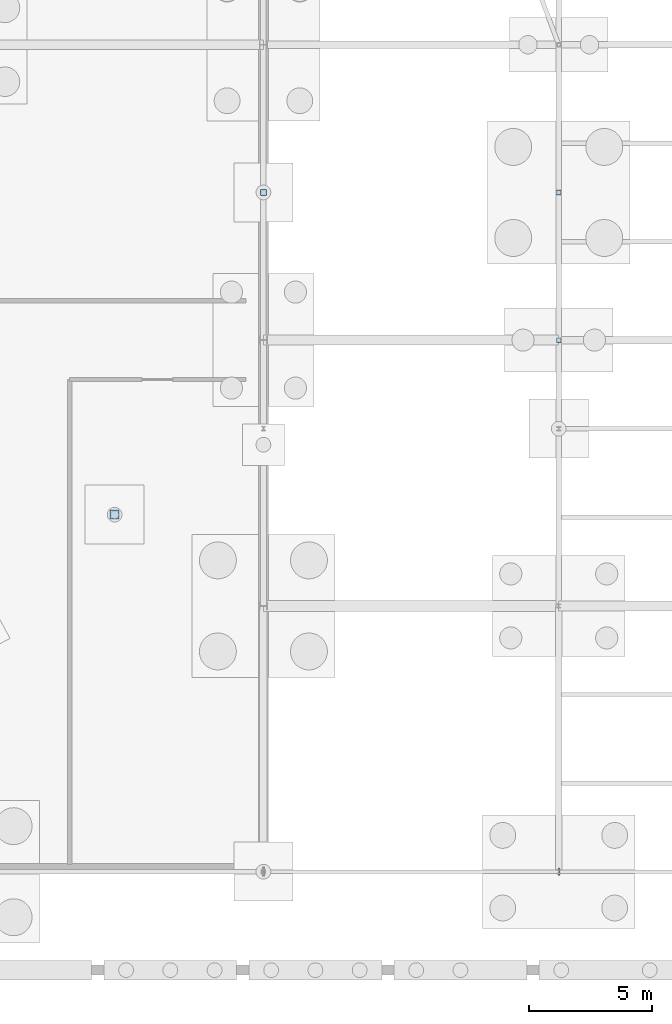
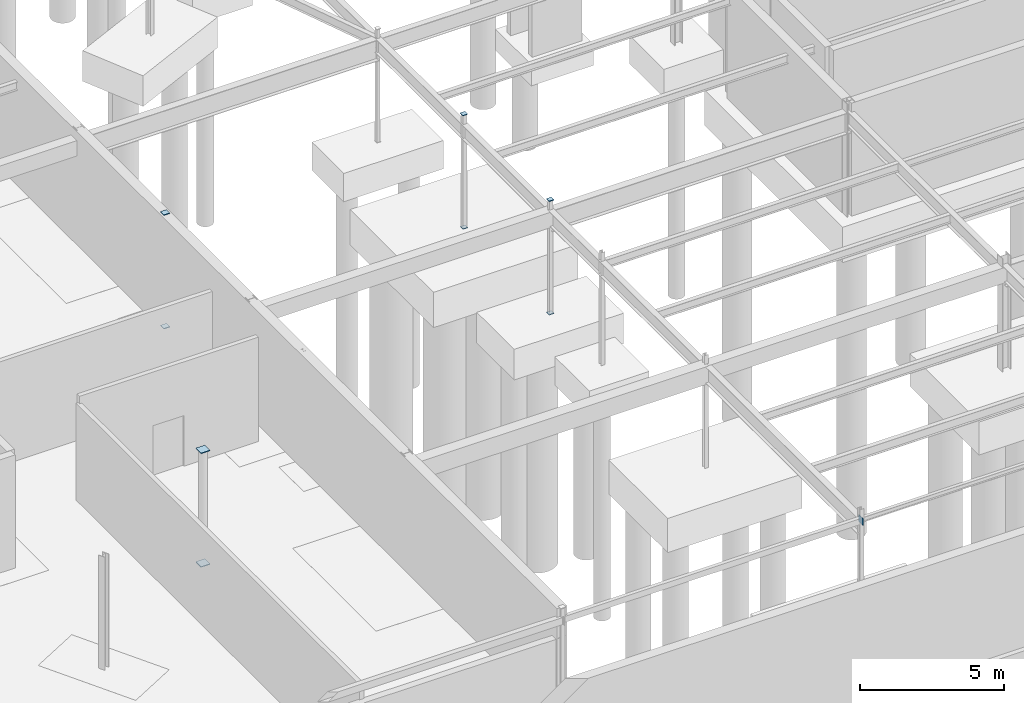
# One storey, part 103 of 136: 9 plates.
"""IFC4 building model written with IfcOpenShell, lengths in metres."""

import ifcopenshell
import ifcopenshell.guid

model = None  # the IFC model being written
_history = None  # IfcOwnerHistory: only IFC2X3 demands one
_inside = {}  # id of a spatial element -> (the spatial element, [elements in it])
_under = {}  # id of a project, library or spatial element -> (it, [spatial elements below it])
_declared = {}  # id of a project -> (the project, [libraries it declares])
_typed = {}  # id of a type object -> (the type object, [elements of that type])
_made_of = {}  # id of a material, layer set ... -> (it, [elements and type objects made of it])


def new_model(schema):
    """Start an empty IFC model of exactly this schema.

    Asked for "IFC4X3", IfcOpenShell would pick the latest addendum, in which some entities
    have other attributes; the version numbers below select the first issue.
    IFC2X3 requires an IfcOwnerHistory on every rooted entity: one is made here for all.
    """
    global model, _history
    if schema == "IFC4X3":
        model = ifcopenshell.file(schema_version=(4, 3, 0, 0))
    else:
        model = ifcopenshell.file(schema=schema)
    _inside.clear()
    _under.clear()
    _declared.clear()
    _typed.clear()
    _made_of.clear()
    _history = None
    if model.schema == "IFC2X3":
        org = make("IfcOrganization", Name="unknown")
        user = make(
            "IfcPersonAndOrganization",
            ThePerson=make("IfcPerson", FamilyName="unknown"),
            TheOrganization=org,
        )
        app = make(
            "IfcApplication",
            ApplicationDeveloper=org,
            Version="unknown",
            ApplicationFullName="unknown",
            ApplicationIdentifier="unknown",
        )
        _history = make(
            "IfcOwnerHistory",
            OwningUser=user,
            OwningApplication=app,
            ChangeAction="ADDED",
            CreationDate=0,
        )
    return model


def make(cls, **values):
    """One entity of the class cls with the attributes given. An attribute that is None is left unset."""
    return model.create_entity(
        cls, **{name: value for name, value in values.items() if value is not None}
    )


def rooted(cls, **values):
    """An entity with a GlobalId (a new one), such as an element, a storey or a relation."""
    return make(cls, GlobalId=ifcopenshell.guid.new(), OwnerHistory=_history, **values)


def si_unit(unit_type, name, prefix=None):
    """IfcSIUnit, for example si_unit("LENGTHUNIT", "METRE", prefix="MILLI")."""
    return make("IfcSIUnit", UnitType=unit_type, Prefix=prefix, Name=name)


def assignment(units):
    """IfcUnitAssignment: the units of a project."""
    return None if units is None else make("IfcUnitAssignment", Units=units)


def point(xyz):
    """IfcCartesianPoint."""
    return None if xyz is None else make("IfcCartesianPoint", Coordinates=xyz)


def direction(xyz):
    """IfcDirection."""
    return None if xyz is None else make("IfcDirection", DirectionRatios=xyz)


def frame(location, z_axis=None, x_axis=None):
    """IfcAxis2Placement3D, a coordinate frame: its origin and axes. An axis left out is left unset."""
    return make(
        "IfcAxis2Placement3D",
        Location=point(location),
        Axis=direction(z_axis),
        RefDirection=direction(x_axis),
    )


def frame_2d(location, x_axis=None):
    """IfcAxis2Placement2D, a coordinate frame in the plane: its origin and x axis."""
    return make(
        "IfcAxis2Placement2D", Location=point(location), RefDirection=direction(x_axis)
    )


def origin():
    """The frame at (0, 0, 0) with its axes left unset."""
    return frame((0.0, 0.0, 0.0))


def origin_2d():
    """The frame at (0, 0) in the plane with its x axis left unset."""
    return frame_2d((0.0, 0.0))


def place(relative_to, where):
    """IfcLocalPlacement: puts the frame where relative to a parent placement (None: the world)."""
    return make(
        "IfcLocalPlacement", PlacementRelTo=relative_to, RelativePlacement=where
    )


def context(
    kind, dimensions, precision=None, world=None, true_north=None, identifier=None
):
    """IfcGeometricRepresentationContext, for example the 3D "Model" context."""
    return make(
        "IfcGeometricRepresentationContext",
        ContextIdentifier=identifier,
        ContextType=kind,
        CoordinateSpaceDimension=dimensions,
        Precision=precision,
        WorldCoordinateSystem=world,
        TrueNorth=true_north,
    )


def subcontext(parent, identifier, kind, view, scale=None):
    """IfcGeometricRepresentationSubContext, for example "Body" below "Model"."""
    return make(
        "IfcGeometricRepresentationSubContext",
        ContextIdentifier=identifier,
        ContextType=kind,
        ParentContext=parent,
        TargetScale=scale,
        TargetView=view,
    )


def project(units=None, contexts=None):
    """IfcProject with its units and contexts."""
    return rooted(
        "IfcProject",
        Name="project",
        RepresentationContexts=contexts,
        UnitsInContext=assignment(units),
    )


def spatial(cls, under=None, at=None, **own):
    """A site, building, storey or space (cls), placed at a placement, below another one or the project."""
    s = rooted(cls, ObjectPlacement=at, **own)
    if under is not None:
        _under.setdefault(under.id(), (under, []))[1].append(s)
    return s


def profile(cls, at=None, kind="AREA", **sizes):
    """A parametric profile (cls). Its sizes go by their IFC names, for example OverallWidth=200.0."""
    return make(cls, ProfileType=kind, Position=at, **sizes)


def rectangle(**sizes):
    """IfcRectangleProfileDef."""
    return profile("IfcRectangleProfileDef", **sizes)


def extrude(swept, where, along, depth):
    """IfcExtrudedAreaSolid: the profile swept, set in the frame where, extruded along a direction by depth."""
    return make(
        "IfcExtrudedAreaSolid",
        SweptArea=swept,
        Position=where,
        ExtrudedDirection=direction(along),
        Depth=depth,
    )


def shape(context_of_items, identifier, shape_type, items):
    """IfcShapeRepresentation: the items that make up one representation, for example the "Body"."""
    return make(
        "IfcShapeRepresentation",
        ContextOfItems=context_of_items,
        RepresentationIdentifier=identifier,
        RepresentationType=shape_type,
        Items=items,
    )


def material(Name=None, Category=None):
    """IfcMaterial."""
    return make("IfcMaterial", Name=Name, Category=Category)


def layer(
    of_material, thickness, ventilated=None, Name=None, Category=None, Priority=None
):
    """IfcMaterialLayer: one layer of a wall or slab, of a material (None: an air gap)."""
    return make(
        "IfcMaterialLayer",
        Material=of_material,
        LayerThickness=thickness,
        IsVentilated=ventilated,
        Name=Name,
        Category=Category,
        Priority=Priority,
    )


def layer_set(layers, Name=None):
    """IfcMaterialLayerSet."""
    return make("IfcMaterialLayerSet", MaterialLayers=layers, LayerSetName=Name)


def made_of(thing, what):
    """Note that an element or type object is made of a material, layer set ...; save() writes the relation."""
    if what is not None:
        _made_of.setdefault(what.id(), (what, []))[1].append(thing)
    return thing


def type_object(cls, material=None, **own):
    """A type object (cls), such as IfcWallType, which elements share."""
    return made_of(rooted(cls, **own), material)


def element(
    cls,
    number,
    at=None,
    inside=None,
    cuts=None,
    type_object=None,
    material=None,
    context=None,
    identifier="Body",
    shape_type=None,
    held_by="IfcProductDefinitionShape",
    body=None,
    shapes=None,
    **own,
):
    """One element of the class cls, such as IfcWall. Its Tag is "e" and its number.

    at: its placement. inside: the storey or other place that contains it. cuts: it is an
    opening in that element (IfcRelVoidsElement). A single representation is given by context,
    identifier, shape_type and body (its items); several are given by shapes. held_by: the class
    of the entity that holds the representations. save() writes the other relations.
    """
    e = rooted(cls, Tag="e%d" % number, ObjectPlacement=at, **own)
    if body is not None:
        shapes = [shape(context, identifier, shape_type, body)]
    if shapes is not None:
        e.Representation = make(held_by, Representations=shapes)
    if inside is not None:
        _inside.setdefault(inside.id(), (inside, []))[1].append(e)
    if cuts is not None:
        rooted(
            "IfcRelVoidsElement", RelatingBuildingElement=cuts, RelatedOpeningElement=e
        )
    if type_object is not None:
        _typed.setdefault(type_object.id(), (type_object, []))[1].append(e)
    return made_of(e, material)


def aggregate(whole, parts):
    """IfcRelAggregates: a whole, such as a stair, and the parts it consists of."""
    return rooted("IfcRelAggregates", RelatingObject=whole, RelatedObjects=parts)


def save(model, path):
    """Write the relations noted so far, then the file.

    IfcRelAggregates (storeys below a building ...), IfcRelContainedInSpatialStructure (elements
    in a storey), IfcRelDefinesByType, IfcRelAssociatesMaterial and IfcRelDeclares: one each for
    every whole, place, type object, material and project.
    """
    for whole, parts in _under.values():
        aggregate(whole, parts)
    for where, things in _inside.values():
        rooted(
            "IfcRelContainedInSpatialStructure",
            RelatedElements=things,
            RelatingStructure=where,
        )
    for kind, things in _typed.values():
        rooted("IfcRelDefinesByType", RelatedObjects=things, RelatingType=kind)
    for what, things in _made_of.values():
        rooted("IfcRelAssociatesMaterial", RelatedObjects=things, RelatingMaterial=what)
    for by, libraries in _declared.values():
        rooted("IfcRelDeclares", RelatingContext=by, RelatedDefinitions=libraries)
    model.write(path)


model = new_model("IFC4")

# Units and contexts
model_context = context("Model", 3, precision=1e-05, world=origin(), true_north=direction((0.0, 1.0)))
body_context = subcontext(model_context, "Body", "Model", "MODEL_VIEW")
ifc_project = project(units=[si_unit("LENGTHUNIT", "METRE"), si_unit("AREAUNIT", "SQUARE_METRE"), si_unit("VOLUMEUNIT", "CUBIC_METRE"), si_unit("PLANEANGLEUNIT", "RADIAN"), si_unit("MASSUNIT", "GRAM", prefix="KILO")], contexts=[model_context])

# Site, building, storey
site_placement = place(None, origin())
site = spatial("IfcSite", under=ifc_project, at=site_placement, CompositionType="ELEMENT")
building_placement = place(site_placement, origin())
building = spatial("IfcBuilding", under=site, at=building_placement, Name="Tarnwether General Hospital", CompositionType="ELEMENT")
storey_placement = place(building_placement, frame((0.0, 0.0, -4.800048828125)))
storey = spatial("IfcBuildingStorey", under=building, at=storey_placement, Name="LG", CompositionType="ELEMENT", Elevation=-4.800048828125)

# Plates
ifc_material = material(Name="Steel Grade 350 (350 MPa)", Category="steel")
ifc_layer = layer(ifc_material, 0.02490234375)
ifc_layer_set = layer_set([ifc_layer], Name="Steel Grade 350 (350 MPa)")
plate_type = type_object("IfcPlateType", Name="PT-GUS2", PredefinedType="USERDEFINED", material=ifc_layer_set)
for number, where, z_axis, x_axis, name in (
    (1, (144.0, 21.60009765625, -0.02490234375), (0.0, 0.0, 1.0), (1.0, 0.0, 0.0), "Hollow Section Welded End Cap Plate 0273"),
    (2, (144.0, 21.60009765625, 4.800048828125), (0.0, 0.0, 1.0), (1.0, 0.0, 0.0), "Hollow Section Welded End Cap Plate 0274"),
):
    element("IfcPlate", number, at=place(storey_placement, frame(where, z_axis=z_axis, x_axis=x_axis)), inside=storey, type_object=plate_type, Name=name, ObjectType="GUSSET", PredefinedType="USERDEFINED", context=body_context, shape_type="SweptSolid", body=[
        extrude(rectangle(XDim=0.18994140625, YDim=0.18994140625, at=origin_2d()), origin(), (0.0, 0.0, 1.0), 0.02490234375),
    ])
for number, where, z_axis, x_axis, name in (
    (3, (125.9560546875, 14.506103515625, -0.02490234375), (0.0, 0.0, 1.0), (1.0, 0.0, 0.0), "Hollow Section Welded End Cap Plate 0739"),
    (4, (125.9560546875, 14.506103515625, 4.800048828125), (0.0, 0.0, 1.0), (1.0, 0.0, 0.0), "Hollow Section Welded End Cap Plate 0740"),
):
    element("IfcPlate", number, at=place(storey_placement, frame(where, z_axis=z_axis, x_axis=x_axis)), inside=storey, type_object=plate_type, Name=name, ObjectType="GUSSET", PredefinedType="USERDEFINED", context=body_context, shape_type="SweptSolid", body=[
        extrude(rectangle(XDim=0.364013671875, YDim=0.364013671875, at=origin_2d()), origin(), (0.0, 0.0, 1.0), 0.02490234375),
    ])
for number, where, z_axis, x_axis, name in (
    (5, (132.0, 27.60009765625, -0.02490234375), (0.0, 0.0, 1.0), (1.0, 0.0, 0.0), "Hollow Section Welded End Cap Plate 0753"),
    (6, (132.0, 27.60009765625, 4.800048828125), (0.0, 0.0, 1.0), (1.0, 0.0, 0.0), "Hollow Section Welded End Cap Plate 0754"),
):
    element("IfcPlate", number, at=place(storey_placement, frame(where, z_axis=z_axis, x_axis=x_axis)), inside=storey, type_object=plate_type, Name=name, ObjectType="GUSSET", PredefinedType="USERDEFINED", context=body_context, shape_type="SweptSolid", body=[
        extrude(rectangle(XDim=0.23388671875, YDim=0.23388671875, at=origin_2d()), origin(), (0.0, 0.0, 1.0), 0.02490234375),
    ])
for number, where, z_axis, x_axis, name in (
    (7, (144.0, 27.60009765625, -0.02490234375), (0.0, 0.0, 1.0), (1.0, 0.0, 0.0), "Hollow Section Welded End Cap Plate 0769"),
    (8, (144.0, 27.60009765625, 4.800048828125), (0.0, 0.0, 1.0), (1.0, 0.0, 0.0), "Hollow Section Welded End Cap Plate 0770"),
):
    element("IfcPlate", number, at=place(storey_placement, frame(where, z_axis=z_axis, x_axis=x_axis)), inside=storey, type_object=plate_type, Name=name, ObjectType="GUSSET", PredefinedType="USERDEFINED", context=body_context, shape_type="SweptSolid", body=[
        extrude(rectangle(XDim=0.18994140625, YDim=0.18994140625, at=origin_2d()), origin(), (0.0, 0.0, 1.0), 0.02490234375),
    ])
plate_placement = place(storey_placement, frame((144.012451171875, 0.0, 4.150146484375), z_axis=(0.0, 0.0, 1.0), x_axis=(1.0, 0.0, 0.0)))
element("IfcPlate", 9, at=plate_placement, inside=storey, type_object=plate_type, Name="Hollow Section Welded End Cap Plate 0836", ObjectType="GUSSET", PredefinedType="USERDEFINED", context=body_context, shape_type="SweptSolid", body=[
    extrude(rectangle(XDim=0.02490234375, YDim=0.2900390625, at=origin_2d()), origin(), (0.0, 0.0, 1.0), 0.2900390625),
])

save(model, "model.ifc")
